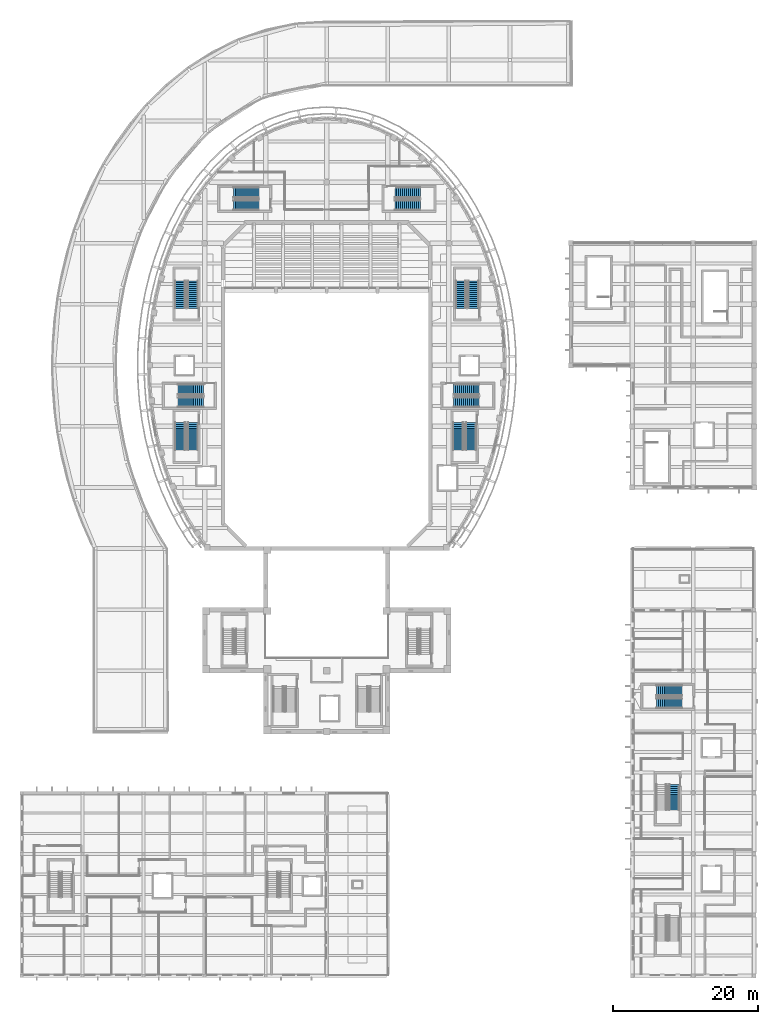
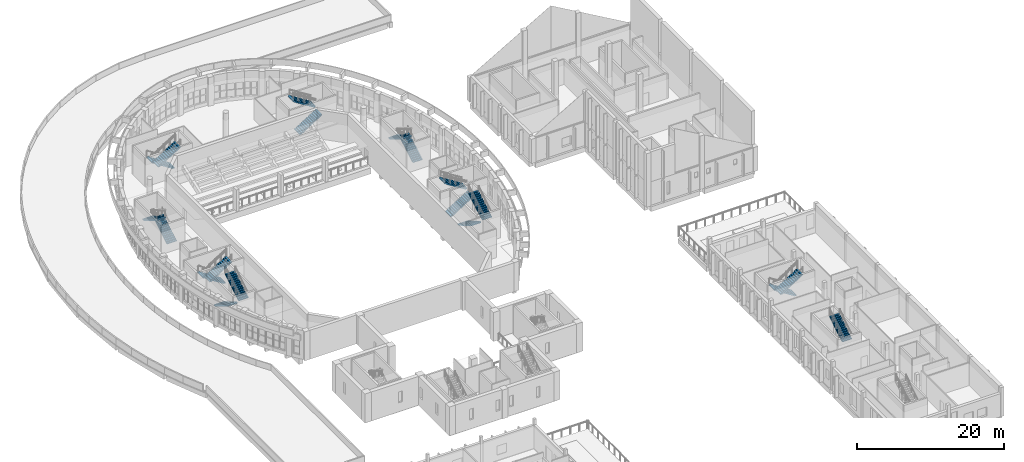
# One storey, part 47 of 79: 19 stair flights, 10 elements without a shape of their own.
"""IFC4 building model written with IfcOpenShell, lengths in metres."""

from ifc_helpers import new_model, si_unit, direction, frame, origin, place, context, subcontext, project, spatial, polyline, outline, extrude, material, type_object, element, aggregate, save


model = new_model("IFC4")

# Units and contexts
model_context = context("Model", 3, precision=1e-05, world=origin(), true_north=direction((0.0, 1.0)))
body_context = subcontext(model_context, "Body", "Model", "MODEL_VIEW")
ifc_project = project(units=[si_unit("LENGTHUNIT", "METRE"), si_unit("AREAUNIT", "SQUARE_METRE"), si_unit("VOLUMEUNIT", "CUBIC_METRE"), si_unit("PLANEANGLEUNIT", "RADIAN"), si_unit("MASSUNIT", "GRAM", prefix="KILO")], contexts=[model_context])

# Site, building, storey
site_placement = place(None, origin())
site = spatial("IfcSite", under=ifc_project, at=site_placement, CompositionType="ELEMENT")
building_placement = place(site_placement, origin())
building = spatial("IfcBuilding", under=site, at=building_placement, Name="Larchfold Concert Hall", CompositionType="ELEMENT")
storey_placement = place(building_placement, frame((0.0, 0.0, 14.39990234375)))
storey = spatial("IfcBuildingStorey", under=building, at=storey_placement, Name="L03", CompositionType="ELEMENT", Elevation=14.39990234375)

# Stair, stair flights
ifc_material_1 = material(Name="Concrete C35/45", Category="concrete")
stair_type = type_object("IfcStairType", Name="Stair RC half-turn enclosed", PredefinedType="HALF_TURN_STAIR", material=ifc_material_1)
stair_1_placement = place(storey_placement, origin())
stair_1 = element("IfcStair", 1, at=stair_1_placement, inside=storey, type_object=stair_type, Name="Stair DS1", PredefinedType="HALF_TURN_STAIR")
ifc_material_2 = material(Name="Concrete C35/45", Category="concrete")
stair_flight_type_1 = type_object("IfcStairFlightType", Name="Stair flight RC 1500 x 160.0", PredefinedType="STRAIGHT", material=ifc_material_2)
stair_flight_1_placement = place(storey_placement, frame((62.75, 92.449951171875, 0.0), z_axis=(0.0, 0.0, 1.0), x_axis=(0.0, 1.0, 0.0)))
stair_flight_1 = element("IfcStairFlight", 2, at=stair_flight_1_placement, type_object=stair_flight_type_1, Name="ST01 flight 1", NumberOfRisers=15, NumberOfTreads=14, PredefinedType="STRAIGHT", RiserHeight=0.16, TreadLength=0.27, context=body_context, shape_type="SweptSolid", body=[
    extrude(outline(polyline([(0.0, 0.0), (0.0, 0.159912109375), (0.27001953125, 0.159912109375), (0.27001953125, 0.320068359375), (0.5400390625, 0.320068359375), (0.5400390625, 0.47998046875), (0.81005859375, 0.47998046875), (0.81005859375, 0.639892578125), (1.080078125, 0.639892578125), (1.080078125, 0.800048828125), (1.35009765625, 0.800048828125), (1.35009765625, 0.9599609375), (1.6201171875, 0.9599609375), (1.6201171875, 1.1201171875), (1.889892578125, 1.1201171875), (1.889892578125, 1.280029296875), (2.159912109375, 1.280029296875), (2.159912109375, 1.43994140625), (2.429931640625, 1.43994140625), (2.429931640625, 1.60009765625), (2.699951171875, 1.60009765625), (2.699951171875, 1.760009765625), (2.969970703125, 1.760009765625), (2.969970703125, 1.919921875), (3.239990234375, 1.919921875), (3.239990234375, 2.080078125), (3.510009765625, 2.080078125), (3.510009765625, 2.239990234375), (3.780029296875, 2.239990234375), (3.780029296875, 2.39990234375), (3.780029296875, 2.065673828125), (0.2939453125, 0.0), (0.0, 0.0)])), frame((0.0, 0.75, 0.0), z_axis=(0.0, -1.0, 0.0), x_axis=(1.0, 0.0, 0.0)), (0.0, 0.0, 1.0), 1.5),
])
stair_flight_2_placement = place(storey_placement, frame((61.050048828125, 96.22998046875, 2.400146484375), z_axis=(0.0, 0.0, 1.0), x_axis=(0.0, -1.0, 0.0)))
stair_flight_2 = element("IfcStairFlight", 3, at=stair_flight_2_placement, type_object=stair_flight_type_1, Name="ST01 flight 2", NumberOfRisers=15, NumberOfTreads=14, PredefinedType="STRAIGHT", RiserHeight=0.16, TreadLength=0.27, context=body_context, shape_type="SweptSolid", body=[
    extrude(outline(polyline([(0.0, 0.0), (0.0, 0.159912109375), (0.27001953125, 0.159912109375), (0.27001953125, 0.320068359375), (0.5400390625, 0.320068359375), (0.5400390625, 0.47998046875), (0.81005859375, 0.47998046875), (0.81005859375, 0.639892578125), (1.080078125, 0.639892578125), (1.080078125, 0.800048828125), (1.35009765625, 0.800048828125), (1.35009765625, 0.9599609375), (1.6201171875, 0.9599609375), (1.6201171875, 1.1201171875), (1.889892578125, 1.1201171875), (1.889892578125, 1.280029296875), (2.159912109375, 1.280029296875), (2.159912109375, 1.43994140625), (2.429931640625, 1.43994140625), (2.429931640625, 1.60009765625), (2.699951171875, 1.60009765625), (2.699951171875, 1.760009765625), (2.969970703125, 1.760009765625), (2.969970703125, 1.919921875), (3.239990234375, 1.919921875), (3.239990234375, 2.080078125), (3.510009765625, 2.080078125), (3.510009765625, 2.239990234375), (3.780029296875, 2.239990234375), (3.780029296875, 2.39990234375), (3.780029296875, 2.065673828125), (0.2939453125, 0.0), (0.0, 0.0)])), frame((0.0, 0.75, 0.0), z_axis=(0.0, -1.0, 0.0), x_axis=(1.0, 0.0, 0.0)), (0.0, 0.0, 1.0), 1.5),
])
aggregate(stair_1, [stair_flight_1, stair_flight_2])

stair_2_placement = place(storey_placement, origin())
stair_2 = element("IfcStair", 4, at=stair_2_placement, inside=storey, type_object=stair_type, Name="Stair DS4", PredefinedType="HALF_TURN_STAIR")
stair_flight_3_placement = place(storey_placement, frame((24.14990234375, 92.449951171875, 0.0), z_axis=(0.0, 0.0, 1.0), x_axis=(0.0, 1.0, 0.0)))
stair_flight_3 = element("IfcStairFlight", 5, at=stair_flight_3_placement, type_object=stair_flight_type_1, Name="ST04 flight 1", NumberOfRisers=15, NumberOfTreads=14, PredefinedType="STRAIGHT", RiserHeight=0.16, TreadLength=0.27, context=body_context, shape_type="SweptSolid", body=[
    extrude(outline(polyline([(0.0, 0.0), (0.0, 0.159912109375), (0.27001953125, 0.159912109375), (0.27001953125, 0.320068359375), (0.5400390625, 0.320068359375), (0.5400390625, 0.47998046875), (0.81005859375, 0.47998046875), (0.81005859375, 0.639892578125), (1.080078125, 0.639892578125), (1.080078125, 0.800048828125), (1.35009765625, 0.800048828125), (1.35009765625, 0.9599609375), (1.6201171875, 0.9599609375), (1.6201171875, 1.1201171875), (1.889892578125, 1.1201171875), (1.889892578125, 1.280029296875), (2.159912109375, 1.280029296875), (2.159912109375, 1.43994140625), (2.429931640625, 1.43994140625), (2.429931640625, 1.60009765625), (2.699951171875, 1.60009765625), (2.699951171875, 1.760009765625), (2.969970703125, 1.760009765625), (2.969970703125, 1.919921875), (3.239990234375, 1.919921875), (3.239990234375, 2.080078125), (3.510009765625, 2.080078125), (3.510009765625, 2.239990234375), (3.780029296875, 2.239990234375), (3.780029296875, 2.39990234375), (3.780029296875, 2.065673828125), (0.2939453125, 0.0), (0.0, 0.0)])), frame((0.0, 0.75, 0.0), z_axis=(0.0, -1.0, 0.0), x_axis=(1.0, 0.0, 0.0)), (0.0, 0.0, 1.0), 1.5),
])
stair_flight_4_placement = place(storey_placement, frame((22.449951171875, 96.22998046875, 2.400146484375), z_axis=(0.0, 0.0, 1.0), x_axis=(0.0, -1.0, 0.0)))
stair_flight_4 = element("IfcStairFlight", 6, at=stair_flight_4_placement, type_object=stair_flight_type_1, Name="ST04 flight 2", NumberOfRisers=15, NumberOfTreads=14, PredefinedType="STRAIGHT", RiserHeight=0.16, TreadLength=0.27, context=body_context, shape_type="SweptSolid", body=[
    extrude(outline(polyline([(0.0, 0.0), (0.0, 0.159912109375), (0.27001953125, 0.159912109375), (0.27001953125, 0.320068359375), (0.5400390625, 0.320068359375), (0.5400390625, 0.47998046875), (0.81005859375, 0.47998046875), (0.81005859375, 0.639892578125), (1.080078125, 0.639892578125), (1.080078125, 0.800048828125), (1.35009765625, 0.800048828125), (1.35009765625, 0.9599609375), (1.6201171875, 0.9599609375), (1.6201171875, 1.1201171875), (1.889892578125, 1.1201171875), (1.889892578125, 1.280029296875), (2.159912109375, 1.280029296875), (2.159912109375, 1.43994140625), (2.429931640625, 1.43994140625), (2.429931640625, 1.60009765625), (2.699951171875, 1.60009765625), (2.699951171875, 1.760009765625), (2.969970703125, 1.760009765625), (2.969970703125, 1.919921875), (3.239990234375, 1.919921875), (3.239990234375, 2.080078125), (3.510009765625, 2.080078125), (3.510009765625, 2.239990234375), (3.780029296875, 2.239990234375), (3.780029296875, 2.39990234375), (3.780029296875, 2.065673828125), (0.2939453125, 0.0), (0.0, 0.0)])), frame((0.0, 0.75, 0.0), z_axis=(0.0, -1.0, 0.0), x_axis=(1.0, 0.0, 0.0)), (0.0, 0.0, 1.0), 1.5),
])
aggregate(stair_2, [stair_flight_3, stair_flight_4])

stair_3_placement = place(storey_placement, origin())
stair_3 = element("IfcStair", 7, at=stair_3_placement, inside=storey, type_object=stair_type, Name="Stair DS5", PredefinedType="HALF_TURN_STAIR")
stair_flight_5_placement = place(storey_placement, frame((22.449951171875, 76.75, 0.0), z_axis=(0.0, 0.0, 1.0), x_axis=(0.0, -1.0, 0.0)))
stair_flight_5 = element("IfcStairFlight", 8, at=stair_flight_5_placement, type_object=stair_flight_type_1, Name="ST05 flight 1", NumberOfRisers=15, NumberOfTreads=14, PredefinedType="STRAIGHT", RiserHeight=0.16, TreadLength=0.27, context=body_context, shape_type="SweptSolid", body=[
    extrude(outline(polyline([(0.0, 0.0), (0.0, 0.159912109375), (0.27001953125, 0.159912109375), (0.27001953125, 0.320068359375), (0.5400390625, 0.320068359375), (0.5400390625, 0.47998046875), (0.81005859375, 0.47998046875), (0.81005859375, 0.639892578125), (1.080078125, 0.639892578125), (1.080078125, 0.800048828125), (1.35009765625, 0.800048828125), (1.35009765625, 0.9599609375), (1.6201171875, 0.9599609375), (1.6201171875, 1.1201171875), (1.889892578125, 1.1201171875), (1.889892578125, 1.280029296875), (2.159912109375, 1.280029296875), (2.159912109375, 1.43994140625), (2.429931640625, 1.43994140625), (2.429931640625, 1.60009765625), (2.699951171875, 1.60009765625), (2.699951171875, 1.760009765625), (2.969970703125, 1.760009765625), (2.969970703125, 1.919921875), (3.239990234375, 1.919921875), (3.239990234375, 2.080078125), (3.510009765625, 2.080078125), (3.510009765625, 2.239990234375), (3.780029296875, 2.239990234375), (3.780029296875, 2.39990234375), (3.780029296875, 2.065673828125), (0.2939453125, 0.0), (0.0, 0.0)])), frame((0.0, 0.75, 0.0), z_axis=(0.0, -1.0, 0.0), x_axis=(1.0, 0.0, 0.0)), (0.0, 0.0, 1.0), 1.5),
])
stair_flight_6_placement = place(storey_placement, frame((24.14990234375, 72.969970703125, 2.400146484375), z_axis=(0.0, 0.0, 1.0), x_axis=(0.0, 1.0, 0.0)))
stair_flight_6 = element("IfcStairFlight", 9, at=stair_flight_6_placement, type_object=stair_flight_type_1, Name="ST05 flight 2", NumberOfRisers=15, NumberOfTreads=14, PredefinedType="STRAIGHT", RiserHeight=0.16, TreadLength=0.27, context=body_context, shape_type="SweptSolid", body=[
    extrude(outline(polyline([(0.0, 0.0), (0.0, 0.159912109375), (0.27001953125, 0.159912109375), (0.27001953125, 0.320068359375), (0.5400390625, 0.320068359375), (0.5400390625, 0.47998046875), (0.81005859375, 0.47998046875), (0.81005859375, 0.639892578125), (1.080078125, 0.639892578125), (1.080078125, 0.800048828125), (1.35009765625, 0.800048828125), (1.35009765625, 0.9599609375), (1.6201171875, 0.9599609375), (1.6201171875, 1.1201171875), (1.889892578125, 1.1201171875), (1.889892578125, 1.280029296875), (2.159912109375, 1.280029296875), (2.159912109375, 1.43994140625), (2.429931640625, 1.43994140625), (2.429931640625, 1.60009765625), (2.699951171875, 1.60009765625), (2.699951171875, 1.760009765625), (2.969970703125, 1.760009765625), (2.969970703125, 1.919921875), (3.239990234375, 1.919921875), (3.239990234375, 2.080078125), (3.510009765625, 2.080078125), (3.510009765625, 2.239990234375), (3.780029296875, 2.239990234375), (3.780029296875, 2.39990234375), (3.780029296875, 2.065673828125), (0.2939453125, 0.0), (0.0, 0.0)])), frame((0.0, 0.75, 0.0), z_axis=(0.0, -1.0, 0.0), x_axis=(1.0, 0.0, 0.0)), (0.0, 0.0, 1.0), 1.5),
])
aggregate(stair_3, [stair_flight_5, stair_flight_6])

stair_4_placement = place(storey_placement, origin())
stair_4 = element("IfcStair", 10, at=stair_4_placement, inside=storey, type_object=stair_type, Name="Stair DS6", PredefinedType="HALF_TURN_STAIR")
stair_flight_7_placement = place(storey_placement, frame((60.699951171875, 76.75, 0.0), z_axis=(0.0, 0.0, 1.0), x_axis=(0.0, -1.0, 0.0)))
stair_flight_7 = element("IfcStairFlight", 11, at=stair_flight_7_placement, type_object=stair_flight_type_1, Name="ST06 flight 1", NumberOfRisers=15, NumberOfTreads=14, PredefinedType="STRAIGHT", RiserHeight=0.16, TreadLength=0.27, context=body_context, shape_type="SweptSolid", body=[
    extrude(outline(polyline([(0.0, 0.0), (0.0, 0.159912109375), (0.27001953125, 0.159912109375), (0.27001953125, 0.320068359375), (0.5400390625, 0.320068359375), (0.5400390625, 0.47998046875), (0.81005859375, 0.47998046875), (0.81005859375, 0.639892578125), (1.080078125, 0.639892578125), (1.080078125, 0.800048828125), (1.35009765625, 0.800048828125), (1.35009765625, 0.9599609375), (1.6201171875, 0.9599609375), (1.6201171875, 1.1201171875), (1.889892578125, 1.1201171875), (1.889892578125, 1.280029296875), (2.159912109375, 1.280029296875), (2.159912109375, 1.43994140625), (2.429931640625, 1.43994140625), (2.429931640625, 1.60009765625), (2.699951171875, 1.60009765625), (2.699951171875, 1.760009765625), (2.969970703125, 1.760009765625), (2.969970703125, 1.919921875), (3.239990234375, 1.919921875), (3.239990234375, 2.080078125), (3.510009765625, 2.080078125), (3.510009765625, 2.239990234375), (3.780029296875, 2.239990234375), (3.780029296875, 2.39990234375), (3.780029296875, 2.065673828125), (0.2939453125, 0.0), (0.0, 0.0)])), frame((0.0, 0.75, 0.0), z_axis=(0.0, -1.0, 0.0), x_axis=(1.0, 0.0, 0.0)), (0.0, 0.0, 1.0), 1.5),
])
stair_flight_8_placement = place(storey_placement, frame((62.39990234375, 72.969970703125, 2.400146484375), z_axis=(0.0, 0.0, 1.0), x_axis=(0.0, 1.0, 0.0)))
stair_flight_8 = element("IfcStairFlight", 12, at=stair_flight_8_placement, type_object=stair_flight_type_1, Name="ST06 flight 2", NumberOfRisers=15, NumberOfTreads=14, PredefinedType="STRAIGHT", RiserHeight=0.16, TreadLength=0.27, context=body_context, shape_type="SweptSolid", body=[
    extrude(outline(polyline([(0.0, 0.0), (0.0, 0.159912109375), (0.27001953125, 0.159912109375), (0.27001953125, 0.320068359375), (0.5400390625, 0.320068359375), (0.5400390625, 0.47998046875), (0.81005859375, 0.47998046875), (0.81005859375, 0.639892578125), (1.080078125, 0.639892578125), (1.080078125, 0.800048828125), (1.35009765625, 0.800048828125), (1.35009765625, 0.9599609375), (1.6201171875, 0.9599609375), (1.6201171875, 1.1201171875), (1.889892578125, 1.1201171875), (1.889892578125, 1.280029296875), (2.159912109375, 1.280029296875), (2.159912109375, 1.43994140625), (2.429931640625, 1.43994140625), (2.429931640625, 1.60009765625), (2.699951171875, 1.60009765625), (2.699951171875, 1.760009765625), (2.969970703125, 1.760009765625), (2.969970703125, 1.919921875), (3.239990234375, 1.919921875), (3.239990234375, 2.080078125), (3.510009765625, 2.080078125), (3.510009765625, 2.239990234375), (3.780029296875, 2.239990234375), (3.780029296875, 2.39990234375), (3.780029296875, 2.065673828125), (0.2939453125, 0.0), (0.0, 0.0)])), frame((0.0, 0.75, 0.0), z_axis=(0.0, -1.0, 0.0), x_axis=(1.0, 0.0, 0.0)), (0.0, 0.0, 1.0), 1.5),
])
aggregate(stair_4, [stair_flight_7, stair_flight_8])

stair_5_placement = place(storey_placement, origin())
stair_5 = element("IfcStair", 13, at=stair_5_placement, inside=storey, type_object=stair_type, Name="Stair DS2", PredefinedType="HALF_TURN_STAIR")
ifc_material_3 = material(Name="Concrete C35/45", Category="concrete")
stair_flight_type_2 = type_object("IfcStairFlightType", Name="Stair flight RC 1500 x 171.4", PredefinedType="STRAIGHT", material=ifc_material_3)
stair_flight_9_placement = place(storey_placement, frame((51.949951171875, 106.64990234375, 0.0), z_axis=(0.0, 0.0, 1.0), x_axis=(1.0, 0.0, 0.0)))
stair_flight_9 = element("IfcStairFlight", 14, at=stair_flight_9_placement, type_object=stair_flight_type_2, Name="ST02 flight 1", NumberOfRisers=14, NumberOfTreads=13, PredefinedType="STRAIGHT", RiserHeight=0.171428571, TreadLength=0.27, context=body_context, shape_type="SweptSolid", body=[
    extrude(outline(polyline([(0.0, 0.0), (0.0, 0.17138671875), (0.27001953125, 0.17138671875), (0.27001953125, 0.3427734375), (0.5400390625, 0.3427734375), (0.5400390625, 0.514404296875), (0.81005859375, 0.514404296875), (0.81005859375, 0.685791015625), (1.080078125, 0.685791015625), (1.080078125, 0.857177734375), (1.35009765625, 0.857177734375), (1.35009765625, 1.028564453125), (1.6201171875, 1.028564453125), (1.6201171875, 1.199951171875), (1.889892578125, 1.199951171875), (1.889892578125, 1.371337890625), (2.159912109375, 1.371337890625), (2.159912109375, 1.54296875), (2.429931640625, 1.54296875), (2.429931640625, 1.71435546875), (2.699951171875, 1.71435546875), (2.699951171875, 1.8857421875), (2.969970703125, 1.8857421875), (2.969970703125, 2.05712890625), (3.239990234375, 2.05712890625), (3.239990234375, 2.228515625), (3.510009765625, 2.228515625), (3.510009765625, 2.39990234375), (3.510009765625, 2.051025390625), (0.27978515625, 0.0), (0.0, 0.0)])), frame((0.0, 0.75, 0.0), z_axis=(0.0, -1.0, 0.0), x_axis=(1.0, 0.0, 0.0)), (0.0, 0.0, 1.0), 1.5),
])
stair_flight_10_placement = place(storey_placement, frame((55.4599609375, 108.349853515625, 2.400146484375), z_axis=(0.0, 0.0, 1.0), x_axis=(-1.0, 0.0, 0.0)))
stair_flight_10 = element("IfcStairFlight", 15, at=stair_flight_10_placement, type_object=stair_flight_type_2, Name="ST02 flight 2", NumberOfRisers=14, NumberOfTreads=13, PredefinedType="STRAIGHT", RiserHeight=0.171428571, TreadLength=0.27, context=body_context, shape_type="SweptSolid", body=[
    extrude(outline(polyline([(0.0, 0.0), (0.0, 0.17138671875), (0.27001953125, 0.17138671875), (0.27001953125, 0.3427734375), (0.5400390625, 0.3427734375), (0.5400390625, 0.514404296875), (0.81005859375, 0.514404296875), (0.81005859375, 0.685791015625), (1.080078125, 0.685791015625), (1.080078125, 0.857177734375), (1.35009765625, 0.857177734375), (1.35009765625, 1.028564453125), (1.6201171875, 1.028564453125), (1.6201171875, 1.199951171875), (1.889892578125, 1.199951171875), (1.889892578125, 1.371337890625), (2.159912109375, 1.371337890625), (2.159912109375, 1.54296875), (2.429931640625, 1.54296875), (2.429931640625, 1.71435546875), (2.699951171875, 1.71435546875), (2.699951171875, 1.8857421875), (2.969970703125, 1.8857421875), (2.969970703125, 2.05712890625), (3.239990234375, 2.05712890625), (3.239990234375, 2.228515625), (3.510009765625, 2.228515625), (3.510009765625, 2.39990234375), (3.510009765625, 2.051025390625), (0.27978515625, 0.0), (0.0, 0.0)])), frame((0.0, 0.75, 0.0), z_axis=(0.0, -1.0, 0.0), x_axis=(1.0, 0.0, 0.0)), (0.0, 0.0, 1.0), 1.5),
])
aggregate(stair_5, [stair_flight_9, stair_flight_10])

stair_6_placement = place(storey_placement, origin())
stair_6 = element("IfcStair", 16, at=stair_6_placement, inside=storey, type_object=stair_type, Name="Stair DS3", PredefinedType="HALF_TURN_STAIR")
stair_flight_11_placement = place(storey_placement, frame((33.25, 108.35009765625, 0.0), z_axis=(0.0, 0.0, 1.0), x_axis=(-1.0, 0.0, 0.0)))
stair_flight_11 = element("IfcStairFlight", 17, at=stair_flight_11_placement, type_object=stair_flight_type_2, Name="ST03 flight 1", NumberOfRisers=14, NumberOfTreads=13, PredefinedType="STRAIGHT", RiserHeight=0.171428571, TreadLength=0.27, context=body_context, shape_type="SweptSolid", body=[
    extrude(outline(polyline([(0.0, 0.0), (0.0, 0.17138671875), (0.27001953125, 0.17138671875), (0.27001953125, 0.3427734375), (0.5400390625, 0.3427734375), (0.5400390625, 0.514404296875), (0.81005859375, 0.514404296875), (0.81005859375, 0.685791015625), (1.080078125, 0.685791015625), (1.080078125, 0.857177734375), (1.35009765625, 0.857177734375), (1.35009765625, 1.028564453125), (1.6201171875, 1.028564453125), (1.6201171875, 1.199951171875), (1.889892578125, 1.199951171875), (1.889892578125, 1.371337890625), (2.159912109375, 1.371337890625), (2.159912109375, 1.54296875), (2.429931640625, 1.54296875), (2.429931640625, 1.71435546875), (2.699951171875, 1.71435546875), (2.699951171875, 1.8857421875), (2.969970703125, 1.8857421875), (2.969970703125, 2.05712890625), (3.239990234375, 2.05712890625), (3.239990234375, 2.228515625), (3.510009765625, 2.228515625), (3.510009765625, 2.39990234375), (3.510009765625, 2.051025390625), (0.27978515625, 0.0), (0.0, 0.0)])), frame((0.0, 0.75, 0.0), z_axis=(0.0, -1.0, 0.0), x_axis=(1.0, 0.0, 0.0)), (0.0, 0.0, 1.0), 1.5),
])
stair_flight_12_placement = place(storey_placement, frame((29.739990234375, 106.650146484375, 2.400146484375), z_axis=(0.0, 0.0, 1.0), x_axis=(1.0, 0.0, 0.0)))
stair_flight_12 = element("IfcStairFlight", 18, at=stair_flight_12_placement, type_object=stair_flight_type_2, Name="ST03 flight 2", NumberOfRisers=14, NumberOfTreads=13, PredefinedType="STRAIGHT", RiserHeight=0.171428571, TreadLength=0.27, context=body_context, shape_type="SweptSolid", body=[
    extrude(outline(polyline([(0.0, 0.0), (0.0, 0.17138671875), (0.27001953125, 0.17138671875), (0.27001953125, 0.3427734375), (0.5400390625, 0.3427734375), (0.5400390625, 0.514404296875), (0.81005859375, 0.514404296875), (0.81005859375, 0.685791015625), (1.080078125, 0.685791015625), (1.080078125, 0.857177734375), (1.35009765625, 0.857177734375), (1.35009765625, 1.028564453125), (1.6201171875, 1.028564453125), (1.6201171875, 1.199951171875), (1.889892578125, 1.199951171875), (1.889892578125, 1.371337890625), (2.159912109375, 1.371337890625), (2.159912109375, 1.54296875), (2.429931640625, 1.54296875), (2.429931640625, 1.71435546875), (2.699951171875, 1.71435546875), (2.699951171875, 1.8857421875), (2.969970703125, 1.8857421875), (2.969970703125, 2.05712890625), (3.239990234375, 2.05712890625), (3.239990234375, 2.228515625), (3.510009765625, 2.228515625), (3.510009765625, 2.39990234375), (3.510009765625, 2.051025390625), (0.27978515625, 0.0), (0.0, 0.0)])), frame((0.0, 0.75, 0.0), z_axis=(0.0, -1.0, 0.0), x_axis=(1.0, 0.0, 0.0)), (0.0, 0.0, 1.0), 1.5),
])
aggregate(stair_6, [stair_flight_11, stair_flight_12])

stair_7_placement = place(storey_placement, origin())
stair_7 = element("IfcStair", 19, at=stair_7_placement, inside=storey, type_object=stair_type, Name="Stair DS7", PredefinedType="HALF_TURN_STAIR")
stair_flight_13_placement = place(storey_placement, frame((25.64990234375, 81.25, 0.0), z_axis=(0.0, 0.0, 1.0), x_axis=(-1.0, 0.0, 0.0)))
stair_flight_13 = element("IfcStairFlight", 20, at=stair_flight_13_placement, type_object=stair_flight_type_2, Name="ST07 flight 1", NumberOfRisers=14, NumberOfTreads=13, PredefinedType="STRAIGHT", RiserHeight=0.171428571, TreadLength=0.27, context=body_context, shape_type="SweptSolid", body=[
    extrude(outline(polyline([(0.0, 0.0), (0.0, 0.17138671875), (0.27001953125, 0.17138671875), (0.27001953125, 0.3427734375), (0.5400390625, 0.3427734375), (0.5400390625, 0.514404296875), (0.81005859375, 0.514404296875), (0.81005859375, 0.685791015625), (1.080078125, 0.685791015625), (1.080078125, 0.857177734375), (1.35009765625, 0.857177734375), (1.35009765625, 1.028564453125), (1.6201171875, 1.028564453125), (1.6201171875, 1.199951171875), (1.889892578125, 1.199951171875), (1.889892578125, 1.371337890625), (2.159912109375, 1.371337890625), (2.159912109375, 1.54296875), (2.429931640625, 1.54296875), (2.429931640625, 1.71435546875), (2.699951171875, 1.71435546875), (2.699951171875, 1.8857421875), (2.969970703125, 1.8857421875), (2.969970703125, 2.05712890625), (3.239990234375, 2.05712890625), (3.239990234375, 2.228515625), (3.510009765625, 2.228515625), (3.510009765625, 2.39990234375), (3.510009765625, 2.051025390625), (0.27978515625, 0.0), (0.0, 0.0)])), frame((0.0, 0.75, 0.0), z_axis=(0.0, -1.0, 0.0), x_axis=(1.0, 0.0, 0.0)), (0.0, 0.0, 1.0), 1.5),
])
stair_flight_14_placement = place(storey_placement, frame((22.139892578125, 79.550048828125, 2.400146484375), z_axis=(0.0, 0.0, 1.0), x_axis=(1.0, 0.0, 0.0)))
stair_flight_14 = element("IfcStairFlight", 21, at=stair_flight_14_placement, type_object=stair_flight_type_2, Name="ST07 flight 2", NumberOfRisers=14, NumberOfTreads=13, PredefinedType="STRAIGHT", RiserHeight=0.171428571, TreadLength=0.27, context=body_context, shape_type="SweptSolid", body=[
    extrude(outline(polyline([(0.0, 0.0), (0.0, 0.17138671875), (0.27001953125, 0.17138671875), (0.27001953125, 0.3427734375), (0.5400390625, 0.3427734375), (0.5400390625, 0.514404296875), (0.81005859375, 0.514404296875), (0.81005859375, 0.685791015625), (1.080078125, 0.685791015625), (1.080078125, 0.857177734375), (1.35009765625, 0.857177734375), (1.35009765625, 1.028564453125), (1.6201171875, 1.028564453125), (1.6201171875, 1.199951171875), (1.889892578125, 1.199951171875), (1.889892578125, 1.371337890625), (2.159912109375, 1.371337890625), (2.159912109375, 1.54296875), (2.429931640625, 1.54296875), (2.429931640625, 1.71435546875), (2.699951171875, 1.71435546875), (2.699951171875, 1.8857421875), (2.969970703125, 1.8857421875), (2.969970703125, 2.05712890625), (3.239990234375, 2.05712890625), (3.239990234375, 2.228515625), (3.510009765625, 2.228515625), (3.510009765625, 2.39990234375), (3.510009765625, 2.051025390625), (0.27978515625, 0.0), (0.0, 0.0)])), frame((0.0, 0.75, 0.0), z_axis=(0.0, -1.0, 0.0), x_axis=(1.0, 0.0, 0.0)), (0.0, 0.0, 1.0), 1.5),
])
aggregate(stair_7, [stair_flight_13, stair_flight_14])

stair_8_placement = place(storey_placement, origin())
stair_8 = element("IfcStair", 22, at=stair_8_placement, inside=storey, type_object=stair_type, Name="Stair DS8", PredefinedType="HALF_TURN_STAIR")
stair_flight_15_placement = place(storey_placement, frame((60.050048828125, 79.550048828125, 0.0), z_axis=(0.0, 0.0, 1.0), x_axis=(1.0, 0.0, 0.0)))
stair_flight_15 = element("IfcStairFlight", 23, at=stair_flight_15_placement, type_object=stair_flight_type_2, Name="ST08 flight 1", NumberOfRisers=14, NumberOfTreads=13, PredefinedType="STRAIGHT", RiserHeight=0.171428571, TreadLength=0.27, context=body_context, shape_type="SweptSolid", body=[
    extrude(outline(polyline([(0.0, 0.0), (0.0, 0.17138671875), (0.27001953125, 0.17138671875), (0.27001953125, 0.3427734375), (0.5400390625, 0.3427734375), (0.5400390625, 0.514404296875), (0.81005859375, 0.514404296875), (0.81005859375, 0.685791015625), (1.080078125, 0.685791015625), (1.080078125, 0.857177734375), (1.35009765625, 0.857177734375), (1.35009765625, 1.028564453125), (1.6201171875, 1.028564453125), (1.6201171875, 1.199951171875), (1.889892578125, 1.199951171875), (1.889892578125, 1.371337890625), (2.159912109375, 1.371337890625), (2.159912109375, 1.54296875), (2.429931640625, 1.54296875), (2.429931640625, 1.71435546875), (2.699951171875, 1.71435546875), (2.699951171875, 1.8857421875), (2.969970703125, 1.8857421875), (2.969970703125, 2.05712890625), (3.239990234375, 2.05712890625), (3.239990234375, 2.228515625), (3.510009765625, 2.228515625), (3.510009765625, 2.39990234375), (3.510009765625, 2.051025390625), (0.27978515625, 0.0), (0.0, 0.0)])), frame((0.0, 0.75, 0.0), z_axis=(0.0, -1.0, 0.0), x_axis=(1.0, 0.0, 0.0)), (0.0, 0.0, 1.0), 1.5),
])
stair_flight_16_placement = place(storey_placement, frame((63.56005859375, 81.25, 2.400146484375), z_axis=(0.0, 0.0, 1.0), x_axis=(-1.0, 0.0, 0.0)))
stair_flight_16 = element("IfcStairFlight", 24, at=stair_flight_16_placement, type_object=stair_flight_type_2, Name="ST08 flight 2", NumberOfRisers=14, NumberOfTreads=13, PredefinedType="STRAIGHT", RiserHeight=0.171428571, TreadLength=0.27, context=body_context, shape_type="SweptSolid", body=[
    extrude(outline(polyline([(0.0, 0.0), (0.0, 0.17138671875), (0.27001953125, 0.17138671875), (0.27001953125, 0.3427734375), (0.5400390625, 0.3427734375), (0.5400390625, 0.514404296875), (0.81005859375, 0.514404296875), (0.81005859375, 0.685791015625), (1.080078125, 0.685791015625), (1.080078125, 0.857177734375), (1.35009765625, 0.857177734375), (1.35009765625, 1.028564453125), (1.6201171875, 1.028564453125), (1.6201171875, 1.199951171875), (1.889892578125, 1.199951171875), (1.889892578125, 1.371337890625), (2.159912109375, 1.371337890625), (2.159912109375, 1.54296875), (2.429931640625, 1.54296875), (2.429931640625, 1.71435546875), (2.699951171875, 1.71435546875), (2.699951171875, 1.8857421875), (2.969970703125, 1.8857421875), (2.969970703125, 2.05712890625), (3.239990234375, 2.05712890625), (3.239990234375, 2.228515625), (3.510009765625, 2.228515625), (3.510009765625, 2.39990234375), (3.510009765625, 2.051025390625), (0.27978515625, 0.0), (0.0, 0.0)])), frame((0.0, 0.75, 0.0), z_axis=(0.0, -1.0, 0.0), x_axis=(1.0, 0.0, 0.0)), (0.0, 0.0, 1.0), 1.5),
])
aggregate(stair_8, [stair_flight_15, stair_flight_16])

# Stair, stair flight
stair_9_placement = place(storey_placement, origin())
stair_9 = element("IfcStair", 25, at=stair_9_placement, inside=storey, type_object=stair_type, Name="Stair AW2", PredefinedType="HALF_TURN_STAIR")
stair_flight_17_placement = place(storey_placement, frame((90.349853515625, 23.43994140625, 2.400146484375), z_axis=(0.0, 0.0, 1.0), x_axis=(0.0, 1.0, 0.0)))
stair_flight_17 = element("IfcStairFlight", 26, at=stair_flight_17_placement, type_object=stair_flight_type_2, Name="ST14 flight 2", NumberOfRisers=14, NumberOfTreads=13, PredefinedType="STRAIGHT", RiserHeight=0.171428571, TreadLength=0.27, context=body_context, shape_type="SweptSolid", body=[
    extrude(outline(polyline([(0.0, 0.0), (0.0, 0.17138671875), (0.27001953125, 0.17138671875), (0.27001953125, 0.3427734375), (0.5400390625, 0.3427734375), (0.5400390625, 0.514404296875), (0.81005859375, 0.514404296875), (0.81005859375, 0.685791015625), (1.080078125, 0.685791015625), (1.080078125, 0.857177734375), (1.35009765625, 0.857177734375), (1.35009765625, 1.028564453125), (1.6201171875, 1.028564453125), (1.6201171875, 1.199951171875), (1.889892578125, 1.199951171875), (1.889892578125, 1.371337890625), (2.159912109375, 1.371337890625), (2.159912109375, 1.54296875), (2.429931640625, 1.54296875), (2.429931640625, 1.71435546875), (2.699951171875, 1.71435546875), (2.699951171875, 1.8857421875), (2.969970703125, 1.8857421875), (2.969970703125, 2.05712890625), (3.239990234375, 2.05712890625), (3.239990234375, 2.228515625), (3.510009765625, 2.228515625), (3.510009765625, 2.39990234375), (3.510009765625, 2.051025390625), (0.27978515625, 0.0), (0.0, 0.0)])), frame((0.0, 0.75, 0.0), z_axis=(0.0, -1.0, 0.0), x_axis=(1.0, 0.0, 0.0)), (0.0, 0.0, 1.0), 1.5),
])
aggregate(stair_9, [stair_flight_17])

# Stair, stair flights
stair_10_placement = place(storey_placement, origin())
stair_10 = element("IfcStair", 27, at=stair_10_placement, inside=storey, type_object=stair_type, Name="Stair AW3", PredefinedType="HALF_TURN_STAIR")
stair_flight_18_placement = place(storey_placement, frame((91.449951171875, 39.85009765625, 0.0), z_axis=(0.0, 0.0, 1.0), x_axis=(-1.0, 0.0, 0.0)))
stair_flight_18 = element("IfcStairFlight", 28, at=stair_flight_18_placement, type_object=stair_flight_type_2, Name="ST15 flight 1", NumberOfRisers=14, NumberOfTreads=13, PredefinedType="STRAIGHT", RiserHeight=0.171428571, TreadLength=0.27, context=body_context, shape_type="SweptSolid", body=[
    extrude(outline(polyline([(0.0, 0.0), (0.0, 0.17138671875), (0.27001953125, 0.17138671875), (0.27001953125, 0.3427734375), (0.5400390625, 0.3427734375), (0.5400390625, 0.514404296875), (0.81005859375, 0.514404296875), (0.81005859375, 0.685791015625), (1.080078125, 0.685791015625), (1.080078125, 0.857177734375), (1.35009765625, 0.857177734375), (1.35009765625, 1.028564453125), (1.6201171875, 1.028564453125), (1.6201171875, 1.199951171875), (1.889892578125, 1.199951171875), (1.889892578125, 1.371337890625), (2.159912109375, 1.371337890625), (2.159912109375, 1.54296875), (2.429931640625, 1.54296875), (2.429931640625, 1.71435546875), (2.699951171875, 1.71435546875), (2.699951171875, 1.8857421875), (2.969970703125, 1.8857421875), (2.969970703125, 2.05712890625), (3.239990234375, 2.05712890625), (3.239990234375, 2.228515625), (3.510009765625, 2.228515625), (3.510009765625, 2.39990234375), (3.510009765625, 2.051025390625), (0.27978515625, 0.0), (0.0, 0.0)])), frame((0.0, 0.75, 0.0), z_axis=(0.0, -1.0, 0.0), x_axis=(1.0, 0.0, 0.0)), (0.0, 0.0, 1.0), 1.5),
])
stair_flight_19_placement = place(storey_placement, frame((87.93994140625, 38.150146484375, 2.400146484375), z_axis=(0.0, 0.0, 1.0), x_axis=(1.0, 0.0, 0.0)))
stair_flight_19 = element("IfcStairFlight", 29, at=stair_flight_19_placement, type_object=stair_flight_type_2, Name="ST15 flight 2", NumberOfRisers=14, NumberOfTreads=13, PredefinedType="STRAIGHT", RiserHeight=0.171428571, TreadLength=0.27, context=body_context, shape_type="SweptSolid", body=[
    extrude(outline(polyline([(0.0, 0.0), (0.0, 0.17138671875), (0.27001953125, 0.17138671875), (0.27001953125, 0.3427734375), (0.5400390625, 0.3427734375), (0.5400390625, 0.514404296875), (0.81005859375, 0.514404296875), (0.81005859375, 0.685791015625), (1.080078125, 0.685791015625), (1.080078125, 0.857177734375), (1.35009765625, 0.857177734375), (1.35009765625, 1.028564453125), (1.6201171875, 1.028564453125), (1.6201171875, 1.199951171875), (1.889892578125, 1.199951171875), (1.889892578125, 1.371337890625), (2.159912109375, 1.371337890625), (2.159912109375, 1.54296875), (2.429931640625, 1.54296875), (2.429931640625, 1.71435546875), (2.699951171875, 1.71435546875), (2.699951171875, 1.8857421875), (2.969970703125, 1.8857421875), (2.969970703125, 2.05712890625), (3.239990234375, 2.05712890625), (3.239990234375, 2.228515625), (3.510009765625, 2.228515625), (3.510009765625, 2.39990234375), (3.510009765625, 2.051025390625), (0.27978515625, 0.0), (0.0, 0.0)])), frame((0.0, 0.75, 0.0), z_axis=(0.0, -1.0, 0.0), x_axis=(1.0, 0.0, 0.0)), (0.0, 0.0, 1.0), 1.5),
])
aggregate(stair_10, [stair_flight_18, stair_flight_19])

save(model, "model.ifc")
